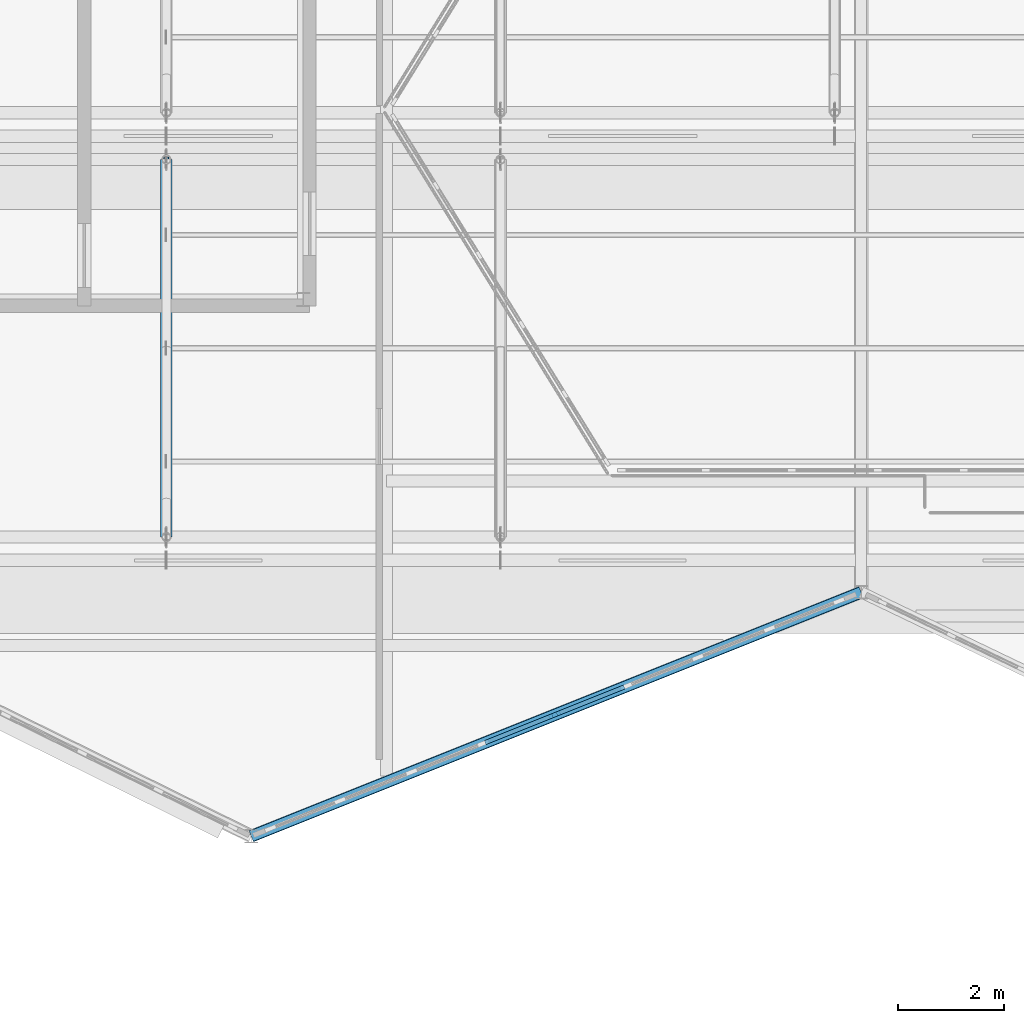
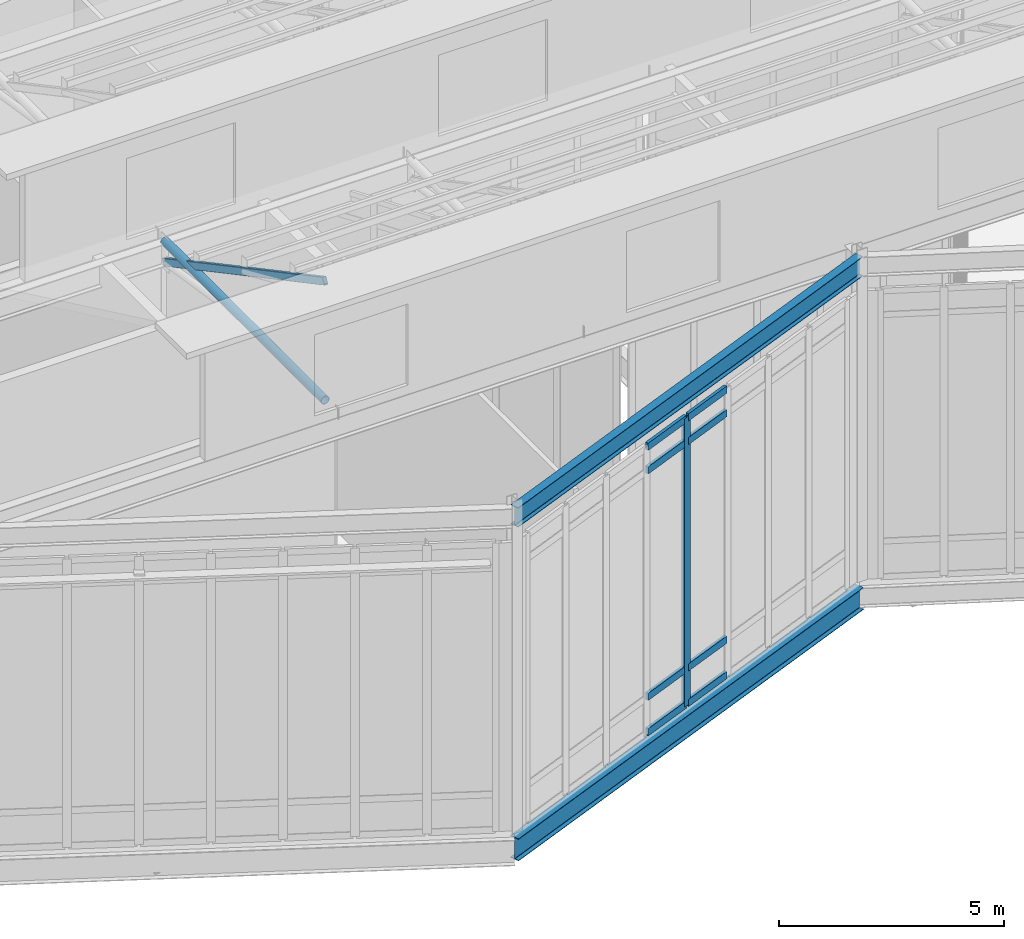
# One storey, part 12 of 66: 11 members, 2 beams, 1 element without a shape of its own.
"""IFC4 building model written with IfcOpenShell, lengths in metres."""

from ifc_helpers import new_model, si_unit, direction, frame, origin, origin_2d, place, context, subcontext, project, spatial, rectangle, hollow_rectangle, hollow_circle, i_section, extrude, material, material_profile, profile_set, type_object, element, aggregate, save


model = new_model("IFC4")

# Units and contexts
model_context = context("Model", 3, precision=1e-05, world=origin(), true_north=direction((0.0, 1.0)))
body_context = subcontext(model_context, "Body", "Model", "MODEL_VIEW")
ifc_project = project(units=[si_unit("LENGTHUNIT", "METRE"), si_unit("AREAUNIT", "SQUARE_METRE"), si_unit("VOLUMEUNIT", "CUBIC_METRE"), si_unit("PLANEANGLEUNIT", "RADIAN"), si_unit("MASSUNIT", "GRAM", prefix="KILO")], contexts=[model_context])

# Site, building, storey
site_placement = place(None, origin())
site = spatial("IfcSite", under=ifc_project, at=site_placement, CompositionType="ELEMENT")
building_placement = place(site_placement, origin())
building = spatial("IfcBuilding", under=site, at=building_placement, Name="Tameran Prism Museum", CompositionType="ELEMENT")
storey_placement = place(building_placement, frame((0.0, 0.0, 19.800048828125)))
storey = spatial("IfcBuildingStorey", under=building, at=storey_placement, Name="L04", CompositionType="ELEMENT", Elevation=19.800048828125)

# Beams
ifc_material_1 = material(Name="Steel Grade 300PLUS (300 MPa)", Category="steel")
ifc_material_profile_1 = material_profile(ifc_material_1, i_section(OverallWidth=0.208984375, OverallDepth=0.528076171875, WebThickness=0.009521484375, FlangeThickness=0.01318359375, FilletRadius=0.013916015625, at=origin_2d()))
ifc_profile_set_1 = profile_set([ifc_material_profile_1])
beam_type_1 = type_object("IfcBeamType", Name="BM-SP530B", PredefinedType="SPANDREL", material=ifc_profile_set_1)
beam_1_placement = place(storey_placement, frame((66.0, 22.800048828125, 8.505859375), z_axis=(0.928480769028, 0.371380480835, 0.0), x_axis=(-0.371380480835, 0.928480769028, 0.0)))
element("IfcBeam", 1, at=beam_1_placement, inside=storey, type_object=beam_type_1, Name="Roof Ring Beam RB-1163", PredefinedType="SPANDREL", context=body_context, shape_type="SweptSolid", body=[
    extrude(i_section(OverallWidth=0.208984375, OverallDepth=0.528076171875, WebThickness=0.009521484375, FlangeThickness=0.01318359375, FilletRadius=0.013916015625, at=origin_2d()), origin(), (0.0, 0.0, 1.0), 12.3857421875),
])
ifc_material_2 = material(Name="Steel Grade 300PLUS (300 MPa)", Category="steel")
ifc_material_profile_2 = material_profile(ifc_material_2, i_section(OverallWidth=0.22802734375, OverallDepth=0.60205078125, WebThickness=0.010498046875, FlangeThickness=0.014892578125, FilletRadius=0.013916015625, at=origin_2d()))
ifc_profile_set_2 = profile_set([ifc_material_profile_2])
beam_type_2 = type_object("IfcBeamType", Name="BM-SP610", PredefinedType="SPANDREL", material=ifc_profile_set_2)
beam_2_placement = place(storey_placement, frame((66.0, 22.800048828125, -0.5009765625), z_axis=(0.928480769028, 0.371380480835, 0.0), x_axis=(-0.371380480835, 0.928480769028, 0.0)))
element("IfcBeam", 2, at=beam_2_placement, inside=storey, type_object=beam_type_2, Name="Perimeter Spandrel SP-1157", PredefinedType="SPANDREL", context=body_context, shape_type="SweptSolid", body=[
    extrude(i_section(OverallWidth=0.22802734375, OverallDepth=0.60205078125, WebThickness=0.010498046875, FlangeThickness=0.014892578125, FilletRadius=0.013916015625, at=origin_2d()), origin(), (0.0, 0.0, 1.0), 12.3857421875),
])

# Curtain wall, members
ifc_material_3 = material(Name="Anodised Aluminium 6063-T6 and Cyclone Solar Glass", Category="aluminium")
curtain_wall_type = type_object("IfcCurtainWallType", Name="CW-FAC-1163x782", PredefinedType="USERDEFINED", material=ifc_material_3)
curtain_wall_placement = place(storey_placement, origin())
curtain_wall = element("IfcCurtainWall", 3, at=curtain_wall_placement, inside=storey, type_object=curtain_wall_type, Name="Unitised Curtain Wall CW-158", ObjectType="UNITISED CURTAIN WALL", PredefinedType="USERDEFINED")
ifc_material_4 = material(Name="Anodised Aluminium Alloy 6063-T6", Category="aluminium")
ifc_material_profile_3 = material_profile(ifc_material_4, rectangle(XDim=0.080078125, YDim=0.219970703125, at=origin_2d()))
ifc_profile_set_3 = profile_set([ifc_material_profile_3])
member_type_1 = type_object("IfcMemberType", Name="CW-MUL-D", PredefinedType="MULLION", material=ifc_profile_set_3)
member_1_placement = place(storey_placement, frame((71.721923828125, 25.089111328125, 0.0), z_axis=(0.0, 0.0, 1.0), x_axis=(0.371420337114, -0.928464826032, 0.0)))
member_1 = element("IfcMember", 4, at=member_1_placement, type_object=member_type_1, Name="CW-158 mullion 5", PredefinedType="MULLION", context=body_context, shape_type="SweptSolid", body=[
    extrude(rectangle(XDim=0.080078125, YDim=0.219970703125, at=origin_2d()), origin(), (0.0, 0.0, 1.0), 7.820068359375),
])
ifc_material_5 = material(Name="Anodised Aluminium Alloy 6063-T6", Category="aluminium")
ifc_material_profile_4 = material_profile(ifc_material_5, rectangle(XDim=0.080078125, YDim=0.195068359375, at=origin_2d()))
ifc_profile_set_4 = profile_set([ifc_material_profile_4])
member_type_2 = type_object("IfcMemberType", Name="CW-TRN-D", PredefinedType="USERDEFINED", material=ifc_profile_set_4)
member_2_placement = place(storey_placement, frame((73.0341796875, 25.614013671875, 0.0400390625), z_axis=(-0.928427646229, -0.371513264526, 0.0), x_axis=(0.371513264526, -0.928427646229, 0.0)))
member_2 = element("IfcMember", 5, at=member_2_placement, type_object=member_type_2, Name="CW-158 transom 4.1", ObjectType="TRANSOM", PredefinedType="USERDEFINED", context=body_context, shape_type="SweptSolid", body=[
    extrude(rectangle(XDim=0.080078125, YDim=0.195068359375, at=origin_2d()), origin(), (0.0, 0.0, 1.0), 1.37353515625),
])
member_3_placement = place(storey_placement, frame((73.0341796875, 25.614013671875, 1.0), z_axis=(-0.928427646229, -0.371513264526, 0.0), x_axis=(0.371513264526, -0.928427646229, 0.0)))
member_3 = element("IfcMember", 6, at=member_3_placement, type_object=member_type_2, Name="CW-158 transom 4.2", ObjectType="TRANSOM", PredefinedType="USERDEFINED", context=body_context, shape_type="SweptSolid", body=[
    extrude(rectangle(XDim=0.080078125, YDim=0.195068359375, at=origin_2d()), origin(), (0.0, 0.0, 1.0), 1.37353515625),
])
member_4_placement = place(storey_placement, frame((73.0341796875, 25.614013671875, 7.139892578125), z_axis=(-0.928427646229, -0.371513264526, 0.0), x_axis=(0.371513264526, -0.928427646229, 0.0)))
member_4 = element("IfcMember", 7, at=member_4_placement, type_object=member_type_2, Name="CW-158 transom 4.3", ObjectType="TRANSOM", PredefinedType="USERDEFINED", context=body_context, shape_type="SweptSolid", body=[
    extrude(rectangle(XDim=0.080078125, YDim=0.195068359375, at=origin_2d()), origin(), (0.0, 0.0, 1.0), 1.37353515625),
])
member_5_placement = place(storey_placement, frame((73.0341796875, 25.614013671875, 7.780029296875), z_axis=(-0.928427646229, -0.371513264526, 0.0), x_axis=(0.371513264526, -0.928427646229, 0.0)))
member_5 = element("IfcMember", 8, at=member_5_placement, type_object=member_type_2, Name="CW-158 transom 4.4", ObjectType="TRANSOM", PredefinedType="USERDEFINED", context=body_context, shape_type="SweptSolid", body=[
    extrude(rectangle(XDim=0.080078125, YDim=0.195068359375, at=origin_2d()), origin(), (0.0, 0.0, 1.0), 1.37353515625),
])
member_6_placement = place(storey_placement, frame((71.684814453125, 25.07421875, 0.0400390625), z_axis=(-0.928464428405, -0.371421331087, 0.0), x_axis=(0.371421331087, -0.928464428405, 0.0)))
member_6 = element("IfcMember", 9, at=member_6_placement, type_object=member_type_2, Name="CW-158 transom 5.1", ObjectType="TRANSOM", PredefinedType="USERDEFINED", context=body_context, shape_type="SweptSolid", body=[
    extrude(rectangle(XDim=0.080078125, YDim=0.195068359375, at=origin_2d()), origin(), (0.0, 0.0, 1.0), 1.373046875),
])
member_7_placement = place(storey_placement, frame((71.684814453125, 25.07421875, 1.0), z_axis=(-0.928464428405, -0.371421331087, 0.0), x_axis=(0.371421331087, -0.928464428405, 0.0)))
member_7 = element("IfcMember", 10, at=member_7_placement, type_object=member_type_2, Name="CW-158 transom 5.2", ObjectType="TRANSOM", PredefinedType="USERDEFINED", context=body_context, shape_type="SweptSolid", body=[
    extrude(rectangle(XDim=0.080078125, YDim=0.195068359375, at=origin_2d()), origin(), (0.0, 0.0, 1.0), 1.373046875),
])
member_8_placement = place(storey_placement, frame((71.684814453125, 25.07421875, 7.139892578125), z_axis=(-0.928464428405, -0.371421331087, 0.0), x_axis=(0.371421331087, -0.928464428405, 0.0)))
member_8 = element("IfcMember", 11, at=member_8_placement, type_object=member_type_2, Name="CW-158 transom 5.3", ObjectType="TRANSOM", PredefinedType="USERDEFINED", context=body_context, shape_type="SweptSolid", body=[
    extrude(rectangle(XDim=0.080078125, YDim=0.195068359375, at=origin_2d()), origin(), (0.0, 0.0, 1.0), 1.373046875),
])
member_9_placement = place(storey_placement, frame((71.684814453125, 25.07421875, 7.780029296875), z_axis=(-0.928464428405, -0.371421331087, 0.0), x_axis=(0.371421331087, -0.928464428405, 0.0)))
member_9 = element("IfcMember", 12, at=member_9_placement, type_object=member_type_2, Name="CW-158 transom 5.4", ObjectType="TRANSOM", PredefinedType="USERDEFINED", context=body_context, shape_type="SweptSolid", body=[
    extrude(rectangle(XDim=0.080078125, YDim=0.195068359375, at=origin_2d()), origin(), (0.0, 0.0, 1.0), 1.373046875),
])
aggregate(curtain_wall, [member_1, member_2, member_3, member_4, member_5, member_6, member_7, member_8, member_9])

# Members
ifc_material_6 = material(Name="Steel Grade C350L0 (350 MPa)", Category="steel")
ifc_material_profile_5 = material_profile(ifc_material_6, hollow_circle(Radius=0.109619140625, WallThickness=0.00830078125, at=origin_2d()))
ifc_profile_set_5 = profile_set([ifc_material_profile_5])
member_type_3 = type_object("IfcMemberType", Name="MM-CH-CHS219", PredefinedType="CHORD", material=ifc_profile_set_5)
member_10_placement = place(storey_placement, frame((64.39990234375, 28.43994140625, 8.785888671875), z_axis=(0.0, 1.0, 0.0), x_axis=(-1.0, 0.0, 0.0)))
element("IfcMember", 13, at=member_10_placement, inside=storey, type_object=member_type_3, Name="Sawtooth Chord STM-0162", PredefinedType="CHORD", context=body_context, shape_type="SweptSolid", body=[
    extrude(hollow_circle(Radius=0.109619140625, WallThickness=0.00830078125, at=origin_2d()), origin(), (0.0, 0.0, 1.0), 7.1201171875),
])
ifc_material_7 = material(Name="Steel Grade C350L0 (350 MPa)", Category="steel")
ifc_material_profile_6 = material_profile(ifc_material_7, hollow_rectangle(XDim=0.10009765625, YDim=0.199951171875, WallThickness=0.008056640625, InnerFilletRadius=0.011962890625, OuterFilletRadius=0.02001953125, at=origin_2d()))
ifc_profile_set_6 = profile_set([ifc_material_profile_6])
member_type_4 = type_object("IfcMemberType", Name="MM-RF-RHS200", PredefinedType="RAFTER", material=ifc_profile_set_6)
member_11_placement = place(storey_placement, frame((64.39990234375, 28.43994140625, 12.02392578125), z_axis=(0.0, 0.882216411875, -0.47084413835), x_axis=(-1.0, 0.0, 0.0)))
element("IfcMember", 14, at=member_11_placement, inside=storey, type_object=member_type_4, Name="Sawtooth Rafter STM-0163", PredefinedType="RAFTER", context=body_context, shape_type="SweptSolid", body=[
    extrude(hollow_rectangle(XDim=0.10009765625, YDim=0.199951171875, WallThickness=0.008056640625, InnerFilletRadius=0.011962890625, OuterFilletRadius=0.02001953125, at=origin_2d()), origin(), (0.0, 0.0, 1.0), 8.07080078125),
])

save(model, "model.ifc")
